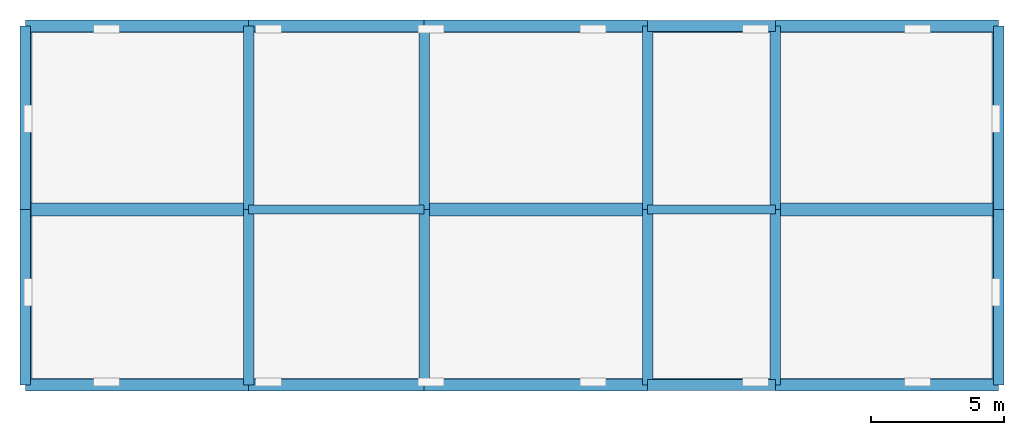
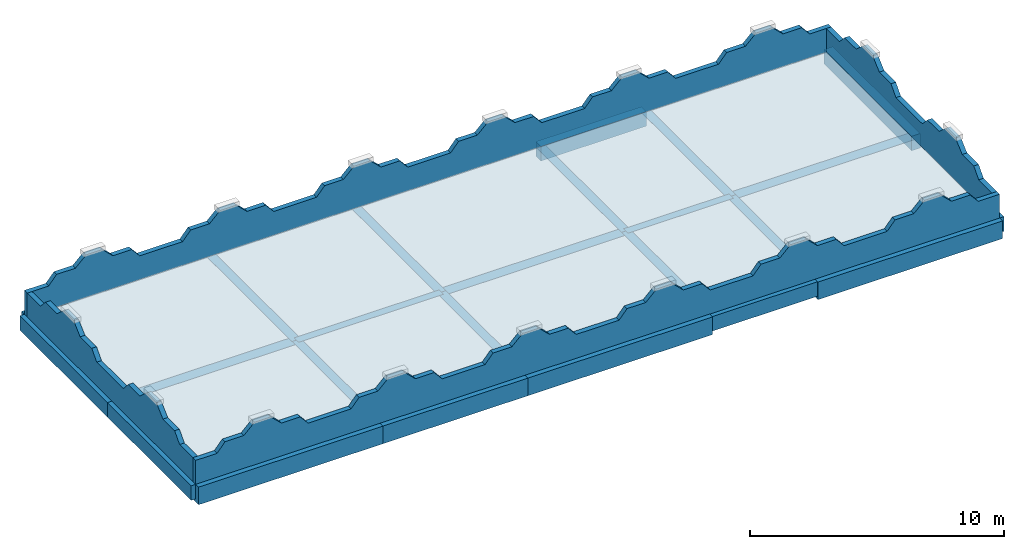
# One storey, part 1 of 2: 27 beams, 4 walls, 1 slab.
"""IFC4 building model written with IfcOpenShell, lengths in metres."""

from ifc_helpers import new_model, si_unit, direction, frame, origin, origin_2d, place, context, subcontext, project, spatial, polyline, rectangle, outline, extrude, material, layer, layer_set, material_profile, profile_set, type_object, element, save


model = new_model("IFC4")

# Units and contexts
model_context = context("Model", 3, precision=1e-05, world=origin(), true_north=direction((0.0, 1.0)))
body_context = subcontext(model_context, "Body", "Model", "MODEL_VIEW")
ifc_project = project(units=[si_unit("LENGTHUNIT", "METRE"), si_unit("AREAUNIT", "SQUARE_METRE"), si_unit("VOLUMEUNIT", "CUBIC_METRE"), si_unit("PLANEANGLEUNIT", "RADIAN"), si_unit("MASSUNIT", "GRAM", prefix="KILO")], contexts=[model_context])

# Site, building, storey
site_placement = place(None, origin())
site = spatial("IfcSite", under=ifc_project, at=site_placement, CompositionType="ELEMENT")
building_placement = place(site_placement, origin())
building = spatial("IfcBuilding", under=site, at=building_placement, Name="Dornvale Research Institute", CompositionType="ELEMENT")
storey_placement = place(building_placement, frame((0.0, 0.0, 51.0)))
storey = spatial("IfcBuildingStorey", under=building, at=storey_placement, Name="Roof", CompositionType="ELEMENT", Elevation=51.0)

# Beams
ifc_material_1 = material(Name="Concrete f'c 45 MPa (C35/45)", Category="concrete")
ifc_material_profile_1 = material_profile(ifc_material_1, rectangle(XDim=0.35009765625, YDim=0.60009765625, at=origin_2d()), Name="RC 350x600")
ifc_profile_set_1 = profile_set([ifc_material_profile_1], Name="Concrete f'c 45 MPa (C35/45)")
beam_type_1 = type_object("IfcBeamType", Name="Beam_RC350x600_Floor", PredefinedType="BEAM", material=ifc_profile_set_1)
beam_1_placement = place(storey_placement, frame((13.199951171875, 110.39990234375, -0.300048828125), z_axis=(1.0, 0.0, 0.0), x_axis=(0.0, 1.0, 0.0)))
element("IfcBeam", 1, at=beam_1_placement, inside=storey, type_object=beam_type_1, Name="Roof primary girder #1793", PredefinedType="BEAM", context=body_context, shape_type="SweptSolid", body=[
    extrude(rectangle(XDim=0.35009765625, YDim=0.60009765625, at=origin_2d()), origin(), (0.0, 0.0, 1.0), 6.60009765625),
])
beam_2_placement = place(storey_placement, frame((28.199951171875, 110.39990234375, -0.300048828125), z_axis=(1.0, 0.0, 0.0), x_axis=(0.0, 1.0, 0.0)))
element("IfcBeam", 2, at=beam_2_placement, inside=storey, type_object=beam_type_1, Name="Roof primary girder #1795", PredefinedType="BEAM", context=body_context, shape_type="SweptSolid", body=[
    extrude(rectangle(XDim=0.35009765625, YDim=0.60009765625, at=origin_2d()), origin(), (0.0, 0.0, 1.0), 4.800048828125),
])
ifc_material_2 = material(Name="Concrete f'c 45 MPa (C35/45)", Category="concrete")
ifc_material_profile_2 = material_profile(ifc_material_2, rectangle(XDim=0.39990234375, YDim=0.64990234375, at=origin_2d()), Name="RC 400x650")
ifc_profile_set_2 = profile_set([ifc_material_profile_2], Name="Concrete f'c 45 MPa (C35/45)")
beam_type_2 = type_object("IfcBeamType", Name="Beam_RC400x650_Floor", PredefinedType="BEAM", material=ifc_profile_set_2)
beam_3_placement = place(storey_placement, frame((13.199951171875, 103.800048828125, -0.324951171875), z_axis=(0.0, 1.0, 0.0), x_axis=(-1.0, 0.0, 0.0)))
element("IfcBeam", 3, at=beam_3_placement, inside=storey, type_object=beam_type_2, Name="Roof transverse girder #1804", PredefinedType="BEAM", context=body_context, shape_type="SweptSolid", body=[
    extrude(rectangle(XDim=0.39990234375, YDim=0.64990234375, at=origin_2d()), origin(), (0.0, 0.0, 1.0), 6.599853515625),
])
beam_4_placement = place(storey_placement, frame((13.199951171875, 110.39990234375, -0.324951171875), z_axis=(0.0, 1.0, 0.0), x_axis=(-1.0, 0.0, 0.0)))
element("IfcBeam", 4, at=beam_4_placement, inside=storey, type_object=beam_type_2, Name="Roof transverse girder #1805", PredefinedType="BEAM", context=body_context, shape_type="SweptSolid", body=[
    extrude(rectangle(XDim=0.39990234375, YDim=0.64990234375, at=origin_2d()), origin(), (0.0, 0.0, 1.0), 6.900146484375),
])
beam_5_placement = place(storey_placement, frame((19.800048828125, 103.800048828125, -0.324951171875), z_axis=(0.0, 1.0, 0.0), x_axis=(-1.0, 0.0, 0.0)))
element("IfcBeam", 5, at=beam_5_placement, inside=storey, type_object=beam_type_2, Name="Roof transverse girder #1806", PredefinedType="BEAM", context=body_context, shape_type="SweptSolid", body=[
    extrude(rectangle(XDim=0.39990234375, YDim=0.64990234375, at=origin_2d()), origin(), (0.0, 0.0, 1.0), 6.599853515625),
])
beam_6_placement = place(storey_placement, frame((19.800048828125, 110.39990234375, -0.324951171875), z_axis=(0.0, 1.0, 0.0), x_axis=(-1.0, 0.0, 0.0)))
element("IfcBeam", 6, at=beam_6_placement, inside=storey, type_object=beam_type_2, Name="Roof transverse girder #1807", PredefinedType="BEAM", context=body_context, shape_type="SweptSolid", body=[
    extrude(rectangle(XDim=0.39990234375, YDim=0.64990234375, at=origin_2d()), origin(), (0.0, 0.0, 1.0), 6.900146484375),
])
beam_7_placement = place(storey_placement, frame((28.199951171875, 103.800048828125, -0.324951171875), z_axis=(0.0, 1.0, 0.0), x_axis=(-1.0, 0.0, 0.0)))
element("IfcBeam", 7, at=beam_7_placement, inside=storey, type_object=beam_type_2, Name="Roof transverse girder #1808", PredefinedType="BEAM", context=body_context, shape_type="SweptSolid", body=[
    extrude(rectangle(XDim=0.39990234375, YDim=0.64990234375, at=origin_2d()), origin(), (0.0, 0.0, 1.0), 6.599853515625),
])
beam_8_placement = place(storey_placement, frame((28.199951171875, 110.39990234375, -0.324951171875), z_axis=(0.0, 1.0, 0.0), x_axis=(-1.0, 0.0, 0.0)))
element("IfcBeam", 8, at=beam_8_placement, inside=storey, type_object=beam_type_2, Name="Roof transverse girder #1809", PredefinedType="BEAM", context=body_context, shape_type="SweptSolid", body=[
    extrude(rectangle(XDim=0.39990234375, YDim=0.64990234375, at=origin_2d()), origin(), (0.0, 0.0, 1.0), 6.900146484375),
])
beam_9_placement = place(storey_placement, frame((33.0, 103.800048828125, -0.324951171875), z_axis=(0.0, 1.0, 0.0), x_axis=(-1.0, 0.0, 0.0)))
element("IfcBeam", 9, at=beam_9_placement, inside=storey, type_object=beam_type_2, Name="Roof transverse girder #1810", PredefinedType="BEAM", context=body_context, shape_type="SweptSolid", body=[
    extrude(rectangle(XDim=0.39990234375, YDim=0.64990234375, at=origin_2d()), origin(), (0.0, 0.0, 1.0), 6.599853515625),
])
beam_10_placement = place(storey_placement, frame((33.0, 110.39990234375, -0.324951171875), z_axis=(0.0, 1.0, 0.0), x_axis=(-1.0, 0.0, 0.0)))
element("IfcBeam", 10, at=beam_10_placement, inside=storey, type_object=beam_type_2, Name="Roof transverse girder #1811", PredefinedType="BEAM", context=body_context, shape_type="SweptSolid", body=[
    extrude(rectangle(XDim=0.39990234375, YDim=0.64990234375, at=origin_2d()), origin(), (0.0, 0.0, 1.0), 6.900146484375),
])
ifc_material_3 = material(Name="Concrete f'c 45 MPa (C35/45)", Category="concrete")
ifc_material_profile_3 = material_profile(ifc_material_3, rectangle(XDim=0.5, YDim=0.949951171875, at=origin_2d()), Name="RC 500x950")
ifc_profile_set_3 = profile_set([ifc_material_profile_3], Name="Concrete f'c 45 MPa (C35/45)")
beam_type_3 = type_object("IfcBeamType", Name="Beam_RC500x950_Girder", PredefinedType="BEAM", material=ifc_profile_set_3)
for number, where, z_axis, x_axis, name in (
    (11, (4.800048828125, 110.39990234375, -0.47509765625), (1.0, 0.0, 0.0), (0.0, 1.0, 0.0), "Roof primary girder #1792"),
    (12, (19.800048828125, 110.39990234375, -0.47509765625), (1.0, 0.0, 0.0), (0.0, 1.0, 0.0), "Roof primary girder #1794"),
    (13, (33.0, 110.39990234375, -0.47509765625), (1.0, 0.0, 0.0), (0.0, 1.0, 0.0), "Roof primary girder #1796"),
):
    element("IfcBeam", number, at=place(storey_placement, frame(where, z_axis=z_axis, x_axis=x_axis)), inside=storey, type_object=beam_type_3, Name=name, PredefinedType="BEAM", context=body_context, shape_type="SweptSolid", body=[
        extrude(rectangle(XDim=0.5, YDim=0.949951171875, at=origin_2d()), origin(), (0.0, 0.0, 1.0), 8.39990234375),
    ])
ifc_material_4 = material(Name="Concrete f'c 45 MPa (C35/45)", Category="concrete")
ifc_material_profile_4 = material_profile(ifc_material_4, rectangle(XDim=0.39990234375, YDim=0.699951171875, at=origin_2d()), Name="RC 400x700")
ifc_profile_set_4 = profile_set([ifc_material_profile_4], Name="Concrete f'c 45 MPa (C35/45)")
beam_type_4 = type_object("IfcBeamType", Name="Spandrel_RC400x700_Ext", PredefinedType="SPANDREL", material=ifc_profile_set_4)
for number, where, z_axis, x_axis, name in (
    (14, (28.199951171875, 103.800048828125, -0.35009765625), (1.0, 0.0, 0.0), (0.0, 1.0, 0.0), "Roof perimeter spandrel #1790"),
    (15, (28.199951171875, 117.300048828125, -0.35009765625), (1.0, 0.0, 0.0), (0.0, 1.0, 0.0), "Roof perimeter spandrel #1800"),
):
    element("IfcBeam", number, at=place(storey_placement, frame(where, z_axis=z_axis, x_axis=x_axis)), inside=storey, type_object=beam_type_4, Name=name, PredefinedType="SPANDREL", context=body_context, shape_type="SweptSolid", body=[
        extrude(rectangle(XDim=0.39990234375, YDim=0.699951171875, at=origin_2d()), origin(), (0.0, 0.0, 1.0), 4.800048828125),
    ])
beam_11_placement = place(storey_placement, frame((4.800048828125, 103.800048828125, -0.35009765625), z_axis=(0.0, 1.0, 0.0), x_axis=(-1.0, 0.0, 0.0)))
element("IfcBeam", 16, at=beam_11_placement, inside=storey, type_object=beam_type_4, Name="Roof perimeter spandrel #1802", PredefinedType="SPANDREL", context=body_context, shape_type="SweptSolid", body=[
    extrude(rectangle(XDim=0.39990234375, YDim=0.699951171875, at=origin_2d()), origin(), (0.0, 0.0, 1.0), 6.599853515625),
])
beam_12_placement = place(storey_placement, frame((4.800048828125, 110.39990234375, -0.35009765625), z_axis=(0.0, 1.0, 0.0), x_axis=(-1.0, 0.0, 0.0)))
element("IfcBeam", 17, at=beam_12_placement, inside=storey, type_object=beam_type_4, Name="Roof perimeter spandrel #1803", PredefinedType="SPANDREL", context=body_context, shape_type="SweptSolid", body=[
    extrude(rectangle(XDim=0.39990234375, YDim=0.699951171875, at=origin_2d()), origin(), (0.0, 0.0, 1.0), 6.900146484375),
])
beam_13_placement = place(storey_placement, frame((41.39990234375, 103.800048828125, -0.35009765625), z_axis=(0.0, 1.0, 0.0), x_axis=(-1.0, 0.0, 0.0)))
element("IfcBeam", 18, at=beam_13_placement, inside=storey, type_object=beam_type_4, Name="Roof perimeter spandrel #1812", PredefinedType="SPANDREL", context=body_context, shape_type="SweptSolid", body=[
    extrude(rectangle(XDim=0.39990234375, YDim=0.699951171875, at=origin_2d()), origin(), (0.0, 0.0, 1.0), 6.599853515625),
])
beam_14_placement = place(storey_placement, frame((41.39990234375, 110.39990234375, -0.35009765625), z_axis=(0.0, 1.0, 0.0), x_axis=(-1.0, 0.0, 0.0)))
element("IfcBeam", 19, at=beam_14_placement, inside=storey, type_object=beam_type_4, Name="Roof perimeter spandrel #1813", PredefinedType="SPANDREL", context=body_context, shape_type="SweptSolid", body=[
    extrude(rectangle(XDim=0.39990234375, YDim=0.699951171875, at=origin_2d()), origin(), (0.0, 0.0, 1.0), 6.900146484375),
])
ifc_material_5 = material(Name="Concrete f'c 45 MPa (C35/45)", Category="concrete")
ifc_material_profile_5 = material_profile(ifc_material_5, rectangle(XDim=0.449951171875, YDim=0.85009765625, at=origin_2d()), Name="RC 450x850")
ifc_profile_set_5 = profile_set([ifc_material_profile_5], Name="Concrete f'c 45 MPa (C35/45)")
beam_type_5 = type_object("IfcBeamType", Name="Spandrel_RC450x850_Ext", PredefinedType="SPANDREL", material=ifc_profile_set_5)
beam_15_placement = place(storey_placement, frame((4.800048828125, 103.800048828125, -0.425048828125), z_axis=(1.0, 0.0, 0.0), x_axis=(0.0, 1.0, 0.0)))
element("IfcBeam", 20, at=beam_15_placement, inside=storey, type_object=beam_type_5, Name="Roof perimeter spandrel #1787", PredefinedType="SPANDREL", context=body_context, shape_type="SweptSolid", body=[
    extrude(rectangle(XDim=0.449951171875, YDim=0.85009765625, at=origin_2d()), origin(), (0.0, 0.0, 1.0), 8.39990234375),
])
beam_16_placement = place(storey_placement, frame((13.199951171875, 103.800048828125, -0.425048828125), z_axis=(1.0, 0.0, 0.0), x_axis=(0.0, 1.0, 0.0)))
element("IfcBeam", 21, at=beam_16_placement, inside=storey, type_object=beam_type_5, Name="Roof perimeter spandrel #1788", PredefinedType="SPANDREL", context=body_context, shape_type="SweptSolid", body=[
    extrude(rectangle(XDim=0.449951171875, YDim=0.85009765625, at=origin_2d()), origin(), (0.0, 0.0, 1.0), 6.60009765625),
])
for number, where, z_axis, x_axis, name in (
    (22, (19.800048828125, 103.800048828125, -0.425048828125), (1.0, 0.0, 0.0), (0.0, 1.0, 0.0), "Roof perimeter spandrel #1789"),
    (23, (33.0, 103.800048828125, -0.425048828125), (1.0, 0.0, 0.0), (0.0, 1.0, 0.0), "Roof perimeter spandrel #1791"),
    (24, (4.800048828125, 117.300048828125, -0.425048828125), (1.0, 0.0, 0.0), (0.0, 1.0, 0.0), "Roof perimeter spandrel #1797"),
):
    element("IfcBeam", number, at=place(storey_placement, frame(where, z_axis=z_axis, x_axis=x_axis)), inside=storey, type_object=beam_type_5, Name=name, PredefinedType="SPANDREL", context=body_context, shape_type="SweptSolid", body=[
        extrude(rectangle(XDim=0.449951171875, YDim=0.85009765625, at=origin_2d()), origin(), (0.0, 0.0, 1.0), 8.39990234375),
    ])
beam_17_placement = place(storey_placement, frame((13.199951171875, 117.300048828125, -0.425048828125), z_axis=(1.0, 0.0, 0.0), x_axis=(0.0, 1.0, 0.0)))
element("IfcBeam", 25, at=beam_17_placement, inside=storey, type_object=beam_type_5, Name="Roof perimeter spandrel #1798", PredefinedType="SPANDREL", context=body_context, shape_type="SweptSolid", body=[
    extrude(rectangle(XDim=0.449951171875, YDim=0.85009765625, at=origin_2d()), origin(), (0.0, 0.0, 1.0), 6.60009765625),
])
for number, where, z_axis, x_axis, name in (
    (26, (19.800048828125, 117.300048828125, -0.425048828125), (1.0, 0.0, 0.0), (0.0, 1.0, 0.0), "Roof perimeter spandrel #1799"),
    (27, (33.0, 117.300048828125, -0.425048828125), (1.0, 0.0, 0.0), (0.0, 1.0, 0.0), "Roof perimeter spandrel #1801"),
):
    element("IfcBeam", number, at=place(storey_placement, frame(where, z_axis=z_axis, x_axis=x_axis)), inside=storey, type_object=beam_type_5, Name=name, PredefinedType="SPANDREL", context=body_context, shape_type="SweptSolid", body=[
        extrude(rectangle(XDim=0.449951171875, YDim=0.85009765625, at=origin_2d()), origin(), (0.0, 0.0, 1.0), 8.39990234375),
    ])

# Slab
ifc_material_6 = material(Name="Concrete f'c 45 MPa (C35/45)", Category="concrete")
ifc_layer_1 = layer(ifc_material_6, 0.260009765625)
ifc_layer_set_1 = layer_set([ifc_layer_1], Name="Concrete f'c 45 MPa (C35/45)")
slab_type = type_object("IfcSlabType", Name="RoofSlab_Flat_260", PredefinedType="ROOF", material=ifc_layer_set_1)
slab_placement = place(storey_placement, frame((0.0, 0.0, -0.260009765625)))
element("IfcSlab", 28, at=slab_placement, inside=storey, type_object=slab_type, Name="Roof V5 structural roof slab ROOF-V5-TOP", PredefinedType="ROOF", context=body_context, shape_type="SweptSolid", body=[
    extrude(outline(polyline([(4.800048828125, 103.800048828125), (41.39990234375, 103.800048828125), (41.39990234375, 117.300048828125), (4.800048828125, 117.300048828125), (4.800048828125, 103.800048828125)])), origin(), (0.0, 0.0, 1.0), 0.260009765625),
])

# Walls
ifc_material_7 = material(Name="Concrete f'c 40 MPa (C32/40)", Category="concrete")
ifc_layer_2 = layer(ifc_material_7, 0.219970703125)
ifc_layer_set_2 = layer_set([ifc_layer_2], Name="Concrete f'c 40 MPa (C32/40)")
wall_type = type_object("IfcWallType", Name="Parapet_Roof_220", PredefinedType="PARAPET", material=ifc_layer_set_2)
wall_1_placement = place(storey_placement, frame((4.800048828125, 103.909912109375, 0.0), z_axis=(0.0, 0.0, 1.0), x_axis=(1.0, 0.0, 0.0)))
element("IfcWall", 29, at=wall_1_placement, inside=storey, type_object=wall_type, Name="Roof V5-TOP parapet S", PredefinedType="PARAPET", context=body_context, shape_type="SweptSolid", body=[
    extrude(outline(polyline([(0.0, 0.0), (36.599853515625, 0.0), (36.60009765625, 1.14990234375), (35.6240234375, 1.14990234375), (35.258056640625, 1.580078125), (34.404052734375, 1.580078125), (33.916015625, 2.050048828125), (33.18408203125, 2.050048828125), (32.696044921875, 1.580078125), (31.842041015625, 1.580078125), (31.47607421875, 1.14990234375), (30.5, 1.14990234375), (29.52392578125, 1.14990234375), (29.157958984375, 1.580078125), (28.303955078125, 1.580078125), (27.81591796875, 2.050048828125), (27.083984375, 2.050048828125), (26.595947265625, 1.580078125), (25.741943359375, 1.580078125), (25.3759765625, 1.14990234375), (24.39990234375, 1.14990234375), (23.424072265625, 1.14990234375), (23.05810546875, 1.580078125), (22.2041015625, 1.580078125), (21.716064453125, 2.050048828125), (20.98388671875, 2.050048828125), (20.49609375, 1.580078125), (19.64208984375, 1.580078125), (19.27587890625, 1.14990234375), (18.300048828125, 1.14990234375), (17.323974609375, 1.14990234375), (16.9580078125, 1.580078125), (16.10400390625, 1.580078125), (15.615966796875, 2.050048828125), (14.884033203125, 2.050048828125), (14.39599609375, 1.580078125), (13.5419921875, 1.580078125), (13.176025390625, 1.14990234375), (12.199951171875, 1.14990234375), (11.22412109375, 1.14990234375), (10.85791015625, 1.580078125), (10.00390625, 1.580078125), (9.51611328125, 2.050048828125), (8.783935546875, 2.050048828125), (8.2958984375, 1.580078125), (7.44189453125, 1.580078125), (7.075927734375, 1.14990234375), (6.10009765625, 1.14990234375), (5.1240234375, 1.14990234375), (4.758056640625, 1.580078125), (3.904052734375, 1.580078125), (3.416015625, 2.050048828125), (2.68408203125, 2.050048828125), (2.196044921875, 1.580078125), (1.342041015625, 1.580078125), (0.97607421875, 1.14990234375), (0.0, 1.14990234375), (0.0, 0.0)])), frame((0.0, 0.10986328125, 0.0), z_axis=(0.0, -1.0, 0.0), x_axis=(1.0, 0.0, 0.0)), (0.0, 0.0, 1.0), 0.219970703125),
])
wall_2_placement = place(storey_placement, frame((4.800048828125, 117.18994140625, 0.0), z_axis=(0.0, 0.0, 1.0), x_axis=(1.0, 0.0, 0.0)))
element("IfcWall", 30, at=wall_2_placement, inside=storey, type_object=wall_type, Name="Roof V5-TOP parapet N", PredefinedType="PARAPET", context=body_context, shape_type="SweptSolid", body=[
    extrude(outline(polyline([(0.0, 0.0), (36.599853515625, 0.0), (36.60009765625, 1.14990234375), (35.6240234375, 1.14990234375), (35.258056640625, 1.580078125), (34.404052734375, 1.580078125), (33.916015625, 2.050048828125), (33.18408203125, 2.050048828125), (32.696044921875, 1.580078125), (31.842041015625, 1.580078125), (31.47607421875, 1.14990234375), (30.5, 1.14990234375), (29.52392578125, 1.14990234375), (29.157958984375, 1.580078125), (28.303955078125, 1.580078125), (27.81591796875, 2.050048828125), (27.083984375, 2.050048828125), (26.595947265625, 1.580078125), (25.741943359375, 1.580078125), (25.3759765625, 1.14990234375), (24.39990234375, 1.14990234375), (23.424072265625, 1.14990234375), (23.05810546875, 1.580078125), (22.2041015625, 1.580078125), (21.716064453125, 2.050048828125), (20.98388671875, 2.050048828125), (20.49609375, 1.580078125), (19.64208984375, 1.580078125), (19.27587890625, 1.14990234375), (18.300048828125, 1.14990234375), (17.323974609375, 1.14990234375), (16.9580078125, 1.580078125), (16.10400390625, 1.580078125), (15.615966796875, 2.050048828125), (14.884033203125, 2.050048828125), (14.39599609375, 1.580078125), (13.5419921875, 1.580078125), (13.176025390625, 1.14990234375), (12.199951171875, 1.14990234375), (11.22412109375, 1.14990234375), (10.85791015625, 1.580078125), (10.00390625, 1.580078125), (9.51611328125, 2.050048828125), (8.783935546875, 2.050048828125), (8.2958984375, 1.580078125), (7.44189453125, 1.580078125), (7.075927734375, 1.14990234375), (6.10009765625, 1.14990234375), (5.1240234375, 1.14990234375), (4.758056640625, 1.580078125), (3.904052734375, 1.580078125), (3.416015625, 2.050048828125), (2.68408203125, 2.050048828125), (2.196044921875, 1.580078125), (1.342041015625, 1.580078125), (0.97607421875, 1.14990234375), (0.0, 1.14990234375), (0.0, 0.0)])), frame((0.0, 0.10986328125, 0.0), z_axis=(0.0, -1.0, 0.0), x_axis=(1.0, 0.0, 0.0)), (0.0, 0.0, 1.0), 0.219970703125),
])
for number, where, z_axis, x_axis, name in (
    (31, (4.909912109375, 104.02001953125, 0.0), (0.0, 0.0, 1.0), (0.0, 1.0, 0.0), "Roof V5-TOP parapet W"),
    (32, (41.2900390625, 104.02001953125, 0.0), (0.0, 0.0, 1.0), (0.0, 1.0, 0.0), "Roof V5-TOP parapet E"),
):
    element("IfcWall", number, at=place(storey_placement, frame(where, z_axis=z_axis, x_axis=x_axis)), inside=storey, type_object=wall_type, Name=name, PredefinedType="PARAPET", context=body_context, shape_type="SweptSolid", body=[
        extrude(outline(polyline([(0.0, 0.0), (13.06005859375, 0.0), (13.06005859375, 1.14990234375), (12.01513671875, 1.14990234375), (11.623291015625, 1.580078125), (10.709228515625, 1.580078125), (10.186767578125, 2.050048828125), (9.4033203125, 2.050048828125), (8.880859375, 1.580078125), (7.966552734375, 1.580078125), (7.57470703125, 1.14990234375), (6.530029296875, 1.14990234375), (5.485107421875, 1.14990234375), (5.093505859375, 1.580078125), (4.17919921875, 1.580078125), (3.65673828125, 2.050048828125), (2.873291015625, 2.050048828125), (2.350830078125, 1.580078125), (1.4365234375, 1.580078125), (1.044921875, 1.14990234375), (0.0, 1.14990234375), (0.0, 0.0)])), frame((0.0, 0.10986328125, 0.0), z_axis=(0.0, -1.0, 0.0), x_axis=(1.0, 0.0, 0.0)), (0.0, 0.0, 1.0), 0.219970703125),
    ])

save(model, "model.ifc")
